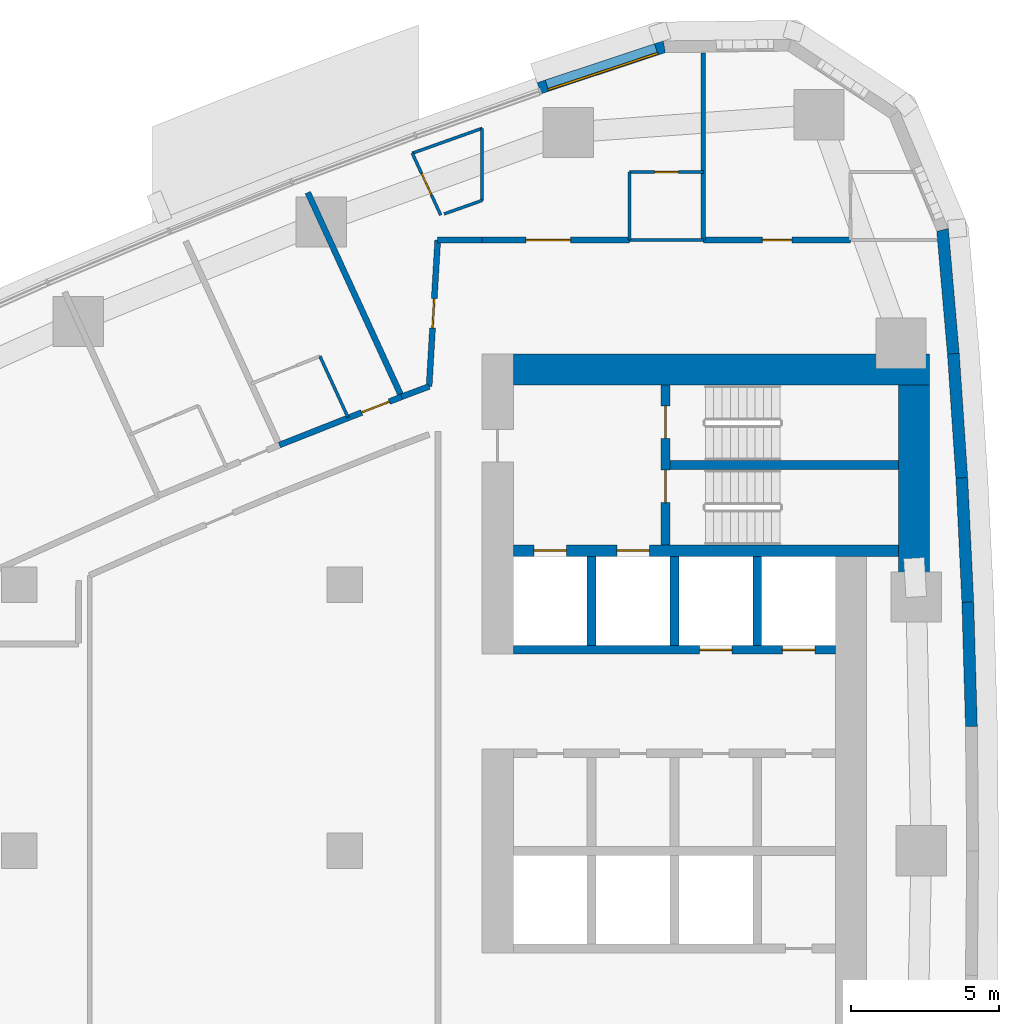
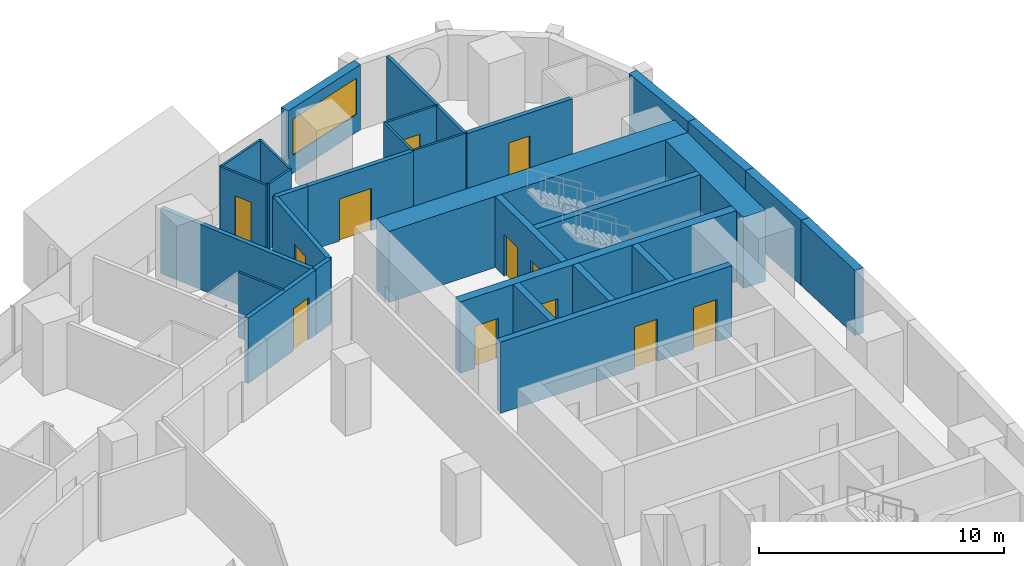
# One storey, part 12 of 17: 30 walls, 12 doors, 1 window, 13 openings.
"""IFC4 building model written with IfcOpenShell, lengths in metres."""

from ifc_helpers import new_model, si_unit, direction, frame, frame_2d, origin, place, context, subcontext, project, spatial, polyline, rectangle, outline, extrude, material, layer, layer_set, type_object, element, fill, save


model = new_model("IFC4")

# Units and contexts
model_context = context("Model", 3, precision=1e-05, world=origin(), true_north=direction((0.0, 1.0)))
body_context = subcontext(model_context, "Body", "Model", "MODEL_VIEW")
ifc_project = project(units=[si_unit("LENGTHUNIT", "METRE"), si_unit("AREAUNIT", "SQUARE_METRE"), si_unit("VOLUMEUNIT", "CUBIC_METRE"), si_unit("PLANEANGLEUNIT", "RADIAN"), si_unit("MASSUNIT", "GRAM", prefix="KILO")], contexts=[model_context])

# Site, building, storey
site_placement = place(None, origin())
site = spatial("IfcSite", under=ifc_project, at=site_placement, CompositionType="ELEMENT")
building_placement = place(site_placement, origin())
building = spatial("IfcBuilding", under=site, at=building_placement, Name="Ostrand Prow Hotel Tower", CompositionType="ELEMENT")
storey_placement = place(building_placement, frame((0.0, 0.0, 99.10009765625)))
storey = spatial("IfcBuildingStorey", under=building, at=storey_placement, Name="L23", CompositionType="ELEMENT", Elevation=99.10009765625)

# Walls
ifc_material_1 = material(Name="Concrete C80/95", Category="concrete")
ifc_layer_1 = layer(ifc_material_1, 1.050048828125)
ifc_layer_set_1 = layer_set([ifc_layer_1], Name="Concrete C80/95")
wall_type_1 = type_object("IfcWallType", Name="Core wall 1050 C80/95", PredefinedType="SHEAR", material=ifc_layer_set_1)
wall_1_placement = place(storey_placement, frame((50.699951171875, 16.27490234375, 0.0), z_axis=(0.0, 0.0, 1.0), x_axis=(1.0, 0.0, 0.0)))
element("IfcWall", 1, at=wall_1_placement, inside=storey, type_object=wall_type_1, Name="Core wall CW-N", PredefinedType="SHEAR", context=body_context, shape_type="SweptSolid", body=[
    extrude(rectangle(XDim=14.070068359375, YDim=1.050048828125, at=frame_2d((7.03515625, 0.0))), origin(), (0.0, 0.0, 1.0), 3.5498046875),
])
wall_2_placement = place(storey_placement, frame((64.2451171875, 9.388671875, 0.0), z_axis=(0.0, 0.0, 1.0), x_axis=(0.0, 1.0, 0.0)))
element("IfcWall", 2, at=wall_2_placement, inside=storey, type_object=wall_type_1, Name="Core wall CW-E-N", PredefinedType="SHEAR", context=body_context, shape_type="SweptSolid", body=[
    extrude(rectangle(XDim=6.361328125, YDim=1.050048828125, at=frame_2d((3.1806640625, 0.0))), origin(), (0.0, 0.0, 1.0), 3.5498046875),
])

# Wall, openings, doors
ifc_material_2 = material(Name="Concrete C80/95", Category="concrete")
ifc_layer_2 = layer(ifc_material_2, 0.300048828125)
ifc_layer_set_2 = layer_set([ifc_layer_2], Name="Concrete C80/95")
wall_type_2 = type_object("IfcWallType", Name="Core wall 300 C80/95", PredefinedType="SHEAR", material=ifc_layer_set_2)
wall_3_placement = place(storey_placement, frame((50.699951171875, 6.800048828125, 0.0), z_axis=(0.0, 0.0, 1.0), x_axis=(1.0, 0.0, 0.0)))
wall_3 = element("IfcWall", 3, at=wall_3_placement, inside=storey, type_object=wall_type_2, Name="Core wall PW-L2-N", PredefinedType="SHEAR", context=body_context, shape_type="SweptSolid", body=[
    extrude(rectangle(XDim=10.900146484375, YDim=0.300048828125, at=frame_2d((5.4501953125, 0.0))), origin(), (0.0, 0.0, 1.0), 3.5498046875),
])
opening_1_placement = place(wall_3_placement, frame((6.300048828125, 0.0, 0.0)))
opening_1 = element("IfcOpeningElement", 4, at=opening_1_placement, cuts=wall_3, Name="Opening LD", PredefinedType="OPENING", context=body_context, shape_type="SweptSolid", body=[
    extrude(rectangle(XDim=1.10009765625, YDim=2.10009765625, at=frame_2d((0.550048828125, 1.050048828125))), frame((0.0, 0.159912109375, 0.0), z_axis=(0.0, -1.0, 0.0), x_axis=(1.0, 0.0, 0.0)), (0.0, 0.0, 1.0), 0.320068359375),
])
opening_2_placement = place(wall_3_placement, frame((9.10009765625, 0.0, 0.0)))
opening_2 = element("IfcOpeningElement", 5, at=opening_2_placement, cuts=wall_3, Name="Opening LD", PredefinedType="OPENING", context=body_context, shape_type="SweptSolid", body=[
    extrude(rectangle(XDim=1.10009765625, YDim=2.10009765625, at=frame_2d((0.550048828125, 1.050048828125))), frame((0.0, 0.159912109375, 0.0), z_axis=(0.0, -1.0, 0.0), x_axis=(1.0, 0.0, 0.0)), (0.0, 0.0, 1.0), 0.320068359375),
])
ifc_material_3 = material(Name="Stainless steel door", Category="steel")
door_type_1 = type_object("IfcDoorType", Name="Lift landing door 1100", OperationType="DOUBLE_DOOR_SLIDING", PredefinedType="DOOR", material=ifc_material_3)
door_1_placement = place(opening_1_placement, origin())
door_1 = element("IfcDoor", 6, at=door_1_placement, inside=storey, type_object=door_type_1, Name="LIFT LANDING DOOR", OperationType="DOUBLE_DOOR_SLIDING", OverallHeight=2.10009765625, OverallWidth=1.10009765625, PredefinedType="DOOR", context=body_context, shape_type="SweptSolid", body=[
    extrude(rectangle(XDim=1.10009765625, YDim=2.10009765625, at=frame_2d((0.550048828125, 1.050048828125))), frame((0.0, 0.02490234375, 0.0), z_axis=(0.0, -1.0, 0.0), x_axis=(1.0, 0.0, 0.0)), (0.0, 0.0, 1.0), 0.050048828125),
])
fill(opening_1, door_1)
door_2_placement = place(opening_2_placement, origin())
door_2 = element("IfcDoor", 7, at=door_2_placement, inside=storey, type_object=door_type_1, Name="LIFT LANDING DOOR", OperationType="DOUBLE_DOOR_SLIDING", OverallHeight=2.10009765625, OverallWidth=1.10009765625, PredefinedType="DOOR", context=body_context, shape_type="SweptSolid", body=[
    extrude(rectangle(XDim=1.10009765625, YDim=2.10009765625, at=frame_2d((0.550048828125, 1.050048828125))), frame((0.0, 0.02490234375, 0.0), z_axis=(0.0, -1.0, 0.0), x_axis=(1.0, 0.0, 0.0)), (0.0, 0.0, 1.0), 0.050048828125),
])
fill(opening_2, door_2)

# Walls
for number, where, z_axis, x_axis, name in (
    (8, (53.35009765625, 6.949951171875, 0.0), (0.0, 0.0, 1.0), (0.0, 1.0, 0.0), "Core wall PW-R1-NA"),
    (9, (56.14990234375, 6.949951171875, 0.0), (0.0, 0.0, 1.0), (0.0, 1.0, 0.0), "Core wall PW-R2-NA"),
    (10, (58.949951171875, 6.949951171875, 0.0), (0.0, 0.0, 1.0), (0.0, 1.0, 0.0), "Core wall PW-R3-NA"),
):
    element("IfcWall", number, at=place(storey_placement, frame(where, z_axis=z_axis, x_axis=x_axis)), inside=storey, type_object=wall_type_2, Name=name, PredefinedType="SHEAR", context=body_context, shape_type="SweptSolid", body=[
        extrude(rectangle(XDim=3.0, YDim=0.300048828125, at=frame_2d((1.5, 0.0))), origin(), (0.0, 0.0, 1.0), 3.5498046875),
    ])

# Wall, openings, doors
wall_4_placement = place(storey_placement, frame((55.85009765625, 10.35009765625, 0.0), z_axis=(0.0, 0.0, 1.0), x_axis=(0.0, 1.0, 0.0)))
wall_4 = element("IfcWall", 11, at=wall_4_placement, inside=storey, type_object=wall_type_2, Name="Core wall PW-VN", PredefinedType="SHEAR", context=body_context, shape_type="SweptSolid", body=[
    extrude(rectangle(XDim=5.39990234375, YDim=0.300048828125, at=frame_2d((2.699951171875, 0.0))), origin(), (0.0, 0.0, 1.0), 3.5498046875),
])
opening_3_placement = place(wall_4_placement, frame((1.429931640625, 0.0, 0.0)))
opening_3 = element("IfcOpeningElement", 12, at=opening_3_placement, cuts=wall_4, Name="Opening FD1", PredefinedType="OPENING", context=body_context, shape_type="SweptSolid", body=[
    extrude(rectangle(XDim=1.10009765625, YDim=2.10009765625, at=frame_2d((0.550048828125, 1.050048828125))), frame((0.0, 0.159912109375, 0.0), z_axis=(0.0, -1.0, 0.0), x_axis=(1.0, 0.0, 0.0)), (0.0, 0.0, 1.0), 0.320068359375),
])
opening_4_placement = place(wall_4_placement, frame((3.60009765625, 0.0, 0.0)))
opening_4 = element("IfcOpeningElement", 13, at=opening_4_placement, cuts=wall_4, Name="Opening FD1", PredefinedType="OPENING", context=body_context, shape_type="SweptSolid", body=[
    extrude(rectangle(XDim=1.10009765625, YDim=2.10009765625, at=frame_2d((0.550048828125, 1.050048828125))), frame((0.0, 0.159912109375, 0.0), z_axis=(0.0, -1.0, 0.0), x_axis=(1.0, 0.0, 0.0)), (0.0, 0.0, 1.0), 0.320068359375),
])
ifc_material_4 = material(Name="Steel fire door", Category="steel")
door_type_2 = type_object("IfcDoorType", Name="Fire door 1100 EI120", OperationType="SINGLE_SWING_RIGHT", PredefinedType="DOOR", material=ifc_material_4)
door_3_placement = place(opening_3_placement, origin())
door_3 = element("IfcDoor", 14, at=door_3_placement, inside=storey, type_object=door_type_2, Name="FIRE DOOR", OperationType="SINGLE_SWING_RIGHT", OverallHeight=2.10009765625, OverallWidth=1.10009765625, PredefinedType="DOOR", context=body_context, shape_type="SweptSolid", body=[
    extrude(rectangle(XDim=1.10009765625, YDim=2.10009765625, at=frame_2d((0.550048828125, 1.050048828125))), frame((0.0, 0.02490234375, 0.0), z_axis=(0.0, -1.0, 0.0), x_axis=(1.0, 0.0, 0.0)), (0.0, 0.0, 1.0), 0.050048828125),
])
fill(opening_3, door_3)
door_4_placement = place(opening_4_placement, origin())
door_4 = element("IfcDoor", 15, at=door_4_placement, inside=storey, type_object=door_type_2, Name="FIRE DOOR", OperationType="SINGLE_SWING_RIGHT", OverallHeight=2.10009765625, OverallWidth=1.10009765625, PredefinedType="DOOR", context=body_context, shape_type="SweptSolid", body=[
    extrude(rectangle(XDim=1.10009765625, YDim=2.10009765625, at=frame_2d((0.550048828125, 1.050048828125))), frame((0.0, 0.02490234375, 0.0), z_axis=(0.0, -1.0, 0.0), x_axis=(1.0, 0.0, 0.0)), (0.0, 0.0, 1.0), 0.050048828125),
])
fill(opening_4, door_4)

# Wall
wall_5_placement = place(storey_placement, frame((56.0, 13.050048828125, 0.0), z_axis=(0.0, 0.0, 1.0), x_axis=(1.0, 0.0, 0.0)))
element("IfcWall", 16, at=wall_5_placement, inside=storey, type_object=wall_type_2, Name="Core wall PW-ST13", PredefinedType="SHEAR", context=body_context, shape_type="SweptSolid", body=[
    extrude(rectangle(XDim=7.719970703125, YDim=0.300048828125, at=frame_2d((3.85986328125, 0.0))), origin(), (0.0, 0.0, 1.0), 3.5498046875),
])

# Wall, openings, doors
ifc_material_5 = material(Name="Concrete C80/95", Category="concrete")
ifc_layer_3 = layer(ifc_material_5, 0.39990234375)
ifc_layer_set_3 = layer_set([ifc_layer_3], Name="Concrete C80/95")
wall_type_3 = type_object("IfcWallType", Name="Core wall 400 C80/95", PredefinedType="SHEAR", material=ifc_layer_set_3)
wall_6_placement = place(storey_placement, frame((50.699951171875, 10.14990234375, 0.0), z_axis=(0.0, 0.0, 1.0), x_axis=(1.0, 0.0, 0.0)))
wall_6 = element("IfcWall", 17, at=wall_6_placement, inside=storey, type_object=wall_type_3, Name="Core wall PW-BN", PredefinedType="SHEAR", context=body_context, shape_type="SweptSolid", body=[
    extrude(rectangle(XDim=13.02001953125, YDim=0.39990234375, at=frame_2d((6.510009765625, 0.0))), origin(), (0.0, 0.0, 1.0), 3.5498046875),
])
opening_5_placement = place(wall_6_placement, frame((0.699951171875, 0.0, 0.0)))
opening_5 = element("IfcOpeningElement", 18, at=opening_5_placement, cuts=wall_6, Name="Opening LD", PredefinedType="OPENING", context=body_context, shape_type="SweptSolid", body=[
    extrude(rectangle(XDim=1.10009765625, YDim=2.10009765625, at=frame_2d((0.550048828125, 1.050048828125))), frame((0.0, 0.2099609375, 0.0), z_axis=(0.0, -1.0, 0.0), x_axis=(1.0, 0.0, 0.0)), (0.0, 0.0, 1.0), 0.419921875),
])
opening_6_placement = place(wall_6_placement, frame((3.5, 0.0, 0.0)))
opening_6 = element("IfcOpeningElement", 19, at=opening_6_placement, cuts=wall_6, Name="Opening LD", PredefinedType="OPENING", context=body_context, shape_type="SweptSolid", body=[
    extrude(rectangle(XDim=1.10009765625, YDim=2.10009765625, at=frame_2d((0.550048828125, 1.050048828125))), frame((0.0, 0.2099609375, 0.0), z_axis=(0.0, -1.0, 0.0), x_axis=(1.0, 0.0, 0.0)), (0.0, 0.0, 1.0), 0.419921875),
])
door_5_placement = place(opening_5_placement, origin())
door_5 = element("IfcDoor", 20, at=door_5_placement, inside=storey, type_object=door_type_1, Name="LIFT LANDING DOOR", OperationType="DOUBLE_DOOR_SLIDING", OverallHeight=2.10009765625, OverallWidth=1.10009765625, PredefinedType="DOOR", context=body_context, shape_type="SweptSolid", body=[
    extrude(rectangle(XDim=1.10009765625, YDim=2.10009765625, at=frame_2d((0.550048828125, 1.050048828125))), frame((0.0, 0.02490234375, 0.0), z_axis=(0.0, -1.0, 0.0), x_axis=(1.0, 0.0, 0.0)), (0.0, 0.0, 1.0), 0.050048828125),
])
fill(opening_5, door_5)
door_6_placement = place(opening_6_placement, origin())
door_6 = element("IfcDoor", 21, at=door_6_placement, inside=storey, type_object=door_type_1, Name="LIFT LANDING DOOR", OperationType="DOUBLE_DOOR_SLIDING", OverallHeight=2.10009765625, OverallWidth=1.10009765625, PredefinedType="DOOR", context=body_context, shape_type="SweptSolid", body=[
    extrude(rectangle(XDim=1.10009765625, YDim=2.10009765625, at=frame_2d((0.550048828125, 1.050048828125))), frame((0.0, 0.02490234375, 0.0), z_axis=(0.0, -1.0, 0.0), x_axis=(1.0, 0.0, 0.0)), (0.0, 0.0, 1.0), 0.050048828125),
])
fill(opening_6, door_6)

# Wall
ifc_material_6 = material(Name="Plasterboard partition")
ifc_layer_4 = layer(ifc_material_6, 0.10009765625)
ifc_layer_set_4 = layer_set([ifc_layer_4], Name="Plasterboard partition")
wall_type_4 = type_object("IfcWallType", Name="Partition 100 bathroom wall", PredefinedType="PARTITIONING", material=ifc_layer_set_4)
wall_7_placement = place(storey_placement, frame((54.630615234375, 20.64990234375, 0.0), z_axis=(0.0, 0.0, 1.0), x_axis=(0.0, 1.0, 0.0)))
element("IfcWall", 22, at=wall_7_placement, inside=storey, type_object=wall_type_4, Name="BATHROOM WALL", PredefinedType="PARTITIONING", context=body_context, shape_type="SweptSolid", body=[
    extrude(rectangle(XDim=2.300048828125, YDim=0.10009765625, at=frame_2d((1.14990234375, 0.0))), origin(), (0.0, 0.0, 1.0), 3.25),
])

# Wall, opening, door
wall_8_placement = place(storey_placement, frame((54.630615234375, 22.949951171875, 0.0), z_axis=(0.0, 0.0, 1.0), x_axis=(1.0, 0.0, 0.0)))
wall_8 = element("IfcWall", 23, at=wall_8_placement, inside=storey, type_object=wall_type_4, Name="BATHROOM WALL", PredefinedType="PARTITIONING", context=body_context, shape_type="SweptSolid", body=[
    extrude(rectangle(XDim=2.5, YDim=0.10009765625, at=frame_2d((1.25, 0.0))), origin(), (0.0, 0.0, 1.0), 3.25),
])
opening_7_placement = place(wall_8_placement, frame((0.85009765625, 0.0, 0.0)))
opening_7 = element("IfcOpeningElement", 24, at=opening_7_placement, cuts=wall_8, Name="Opening D2", PredefinedType="OPENING", context=body_context, shape_type="SweptSolid", body=[
    extrude(rectangle(XDim=0.800048828125, YDim=2.10009765625, at=frame_2d((0.39990234375, 1.050048828125))), frame((0.0, 0.06005859375, 0.0), z_axis=(0.0, -1.0, 0.0), x_axis=(1.0, 0.0, 0.0)), (0.0, 0.0, 1.0), 0.1201171875),
])
ifc_material_7 = material(Name="Timber door leaf", Category="wood")
door_type_3 = type_object("IfcDoorType", Name="Bathroom door 800", OperationType="SINGLE_SWING_LEFT", PredefinedType="DOOR", material=ifc_material_7)
door_7_placement = place(opening_7_placement, origin())
door_7 = element("IfcDoor", 25, at=door_7_placement, inside=storey, type_object=door_type_3, Name="DOOR", OperationType="SINGLE_SWING_LEFT", OverallHeight=2.10009765625, OverallWidth=0.800048828125, PredefinedType="DOOR", context=body_context, shape_type="SweptSolid", body=[
    extrude(rectangle(XDim=0.800048828125, YDim=2.10009765625, at=frame_2d((0.39990234375, 1.050048828125))), frame((0.0, 0.02490234375, 0.0), z_axis=(0.0, -1.0, 0.0), x_axis=(1.0, 0.0, 0.0)), (0.0, 0.0, 1.0), 0.050048828125),
])
fill(opening_7, door_7)

# Walls
wall_9_placement = place(storey_placement, frame((44.16259765625, 16.726806640625, 0.0), z_axis=(0.0, 0.0, 1.0), x_axis=(0.417373525971, -0.908735021785, 0.0)))
element("IfcWall", 26, at=wall_9_placement, inside=storey, type_object=wall_type_4, Name="BATHROOM WALL", PredefinedType="PARTITIONING", context=body_context, shape_type="SweptSolid", body=[
    extrude(rectangle(XDim=2.280029296875, YDim=0.10009765625, at=frame_2d((1.14013671875, 0.0))), origin(), (0.0, 0.0, 1.0), 3.25),
])
wall_10_placement = place(storey_placement, frame((49.64990234375, 21.99560546875, 0.0), z_axis=(0.0, 0.0, 1.0), x_axis=(-0.942692856107, -0.333661773425, 0.0)))
element("IfcWall", 27, at=wall_10_placement, inside=storey, type_object=wall_type_4, Name="BATHROOM WALL", PredefinedType="PARTITIONING", context=body_context, shape_type="SweptSolid", body=[
    extrude(rectangle(XDim=1.365234375, YDim=0.10009765625, at=frame_2d((0.6826171875, 0.0))), origin(), (0.0, 0.0, 1.0), 3.25),
])

# Wall, opening, door
wall_11_placement = place(storey_placement, frame((48.24853515625, 21.4970703125, 0.0), z_axis=(0.0, 0.0, 1.0), x_axis=(-0.41749308293, 0.908680100864, 0.0)))
wall_11 = element("IfcWall", 28, at=wall_11_placement, inside=storey, type_object=wall_type_4, Name="BATHROOM WALL", PredefinedType="PARTITIONING", context=body_context, shape_type="SweptSolid", body=[
    extrude(rectangle(XDim=2.3056640625, YDim=0.10009765625, at=frame_2d((1.15283203125, 0.0))), origin(), (0.0, 0.0, 1.0), 3.25),
])
opening_8_placement = place(wall_11_placement, frame((0.75, 0.0, 0.0)))
opening_8 = element("IfcOpeningElement", 29, at=opening_8_placement, cuts=wall_11, Name="Opening D2", PredefinedType="OPENING", context=body_context, shape_type="SweptSolid", body=[
    extrude(rectangle(XDim=0.800048828125, YDim=2.10009765625, at=frame_2d((0.39990234375, 1.050048828125))), frame((0.0, 0.06005859375, 0.0), z_axis=(0.0, -1.0, 0.0), x_axis=(1.0, 0.0, 0.0)), (0.0, 0.0, 1.0), 0.1201171875),
])
door_8_placement = place(opening_8_placement, origin())
door_8 = element("IfcDoor", 30, at=door_8_placement, inside=storey, type_object=door_type_3, Name="DOOR", OperationType="SINGLE_SWING_LEFT", OverallHeight=2.10009765625, OverallWidth=0.800048828125, PredefinedType="DOOR", context=body_context, shape_type="SweptSolid", body=[
    extrude(rectangle(XDim=0.800048828125, YDim=2.10009765625, at=frame_2d((0.39990234375, 1.050048828125))), frame((0.0, 0.02490234375, 0.0), z_axis=(0.0, -1.0, 0.0), x_axis=(1.0, 0.0, 0.0)), (0.0, 0.0, 1.0), 0.050048828125),
])
fill(opening_8, door_8)

# Walls
wall_12_placement = place(storey_placement, frame((57.130615234375, 20.655029296875, 0.0), z_axis=(0.0, 0.0, 1.0), x_axis=(-1.0, 0.0, 0.0)))
element("IfcWall", 31, at=wall_12_placement, inside=storey, type_object=wall_type_4, Name="BATHROOM WALL", PredefinedType="PARTITIONING", context=body_context, shape_type="SweptSolid", body=[
    extrude(rectangle(XDim=2.5, YDim=0.10009765625, at=frame_2d((1.25, 0.0))), origin(), (0.0, 0.0, 1.0), 3.25),
])
wall_13_placement = place(storey_placement, frame((47.285888671875, 23.59228515625, 0.0), z_axis=(0.0, 0.0, 1.0), x_axis=(0.941933231826, 0.335800218555, 0.0)))
element("IfcWall", 32, at=wall_13_placement, inside=storey, type_object=wall_type_4, Name="BATHROOM WALL", PredefinedType="PARTITIONING", context=body_context, shape_type="SweptSolid", body=[
    extrude(rectangle(XDim=2.509765625, YDim=0.10009765625, at=frame_2d((1.2548828125, 0.0))), origin(), (0.0, 0.0, 1.0), 3.25),
])
wall_14_placement = place(storey_placement, frame((49.64990234375, 24.43505859375, 0.0), z_axis=(0.0, 0.0, 1.0), x_axis=(0.0, -1.0, 0.0)))
element("IfcWall", 33, at=wall_14_placement, inside=storey, type_object=wall_type_4, Name="BATHROOM WALL", PredefinedType="PARTITIONING", context=body_context, shape_type="SweptSolid", body=[
    extrude(rectangle(XDim=2.439453125, YDim=0.10009765625, at=frame_2d((1.2197265625, 0.0))), origin(), (0.0, 0.0, 1.0), 3.25),
])
ifc_material_8 = material(Name="Plasterboard partition")
ifc_layer_5 = layer(ifc_material_8, 0.14990234375)
ifc_layer_set_5 = layer_set([ifc_layer_5], Name="Plasterboard partition")
wall_type_5 = type_object("IfcWallType", Name="Partition 150 room partition", PredefinedType="PARTITIONING", material=ifc_layer_set_5)
wall_15_placement = place(storey_placement, frame((57.130615234375, 20.64990234375, 0.0), z_axis=(0.0, 0.0, 1.0), x_axis=(0.0, 1.0, 0.0)))
element("IfcWall", 34, at=wall_15_placement, inside=storey, type_object=wall_type_5, Name="ROOM PARTITION", PredefinedType="PARTITIONING", context=body_context, shape_type="SweptSolid", body=[
    extrude(rectangle(XDim=6.3291015625, YDim=0.14990234375, at=frame_2d((3.16455078125, 0.0))), origin(), (0.0, 0.0, 1.0), 3.25),
])

# Wall, opening, door
ifc_material_9 = material(Name="Plasterboard partition")
ifc_layer_6 = layer(ifc_material_9, 0.199951171875)
ifc_layer_set_6 = layer_set([ifc_layer_6], Name="Plasterboard partition")
wall_type_6 = type_object("IfcWallType", Name="Partition 200 corridor wall", PredefinedType="PARTITIONING", material=ifc_layer_set_6)
wall_16_placement = place(storey_placement, frame((46.92431640625, 15.356689453125, 0.0), z_axis=(0.0, 0.0, 1.0), x_axis=(-0.930040633249, -0.367456692014, 0.0)))
wall_16 = element("IfcWall", 35, at=wall_16_placement, inside=storey, type_object=wall_type_6, Name="CORRIDOR WALL", PredefinedType="PARTITIONING", context=body_context, shape_type="SweptSolid", body=[
    extrude(rectangle(XDim=4.4443359375, YDim=0.199951171875, at=frame_2d((2.22216796875, 0.0))), origin(), (0.0, 0.0, 1.0), 3.25),
])
opening_9_placement = place(wall_16_placement, frame((0.449951171875, 0.0, 0.0)))
opening_9 = element("IfcOpeningElement", 36, at=opening_9_placement, cuts=wall_16, Name="Opening D1", PredefinedType="OPENING", context=body_context, shape_type="SweptSolid", body=[
    extrude(rectangle(XDim=1.0, YDim=2.10009765625, at=frame_2d((0.5, 1.050048828125))), frame((0.0, 0.10986328125, 0.0), z_axis=(0.0, -1.0, 0.0), x_axis=(1.0, 0.0, 0.0)), (0.0, 0.0, 1.0), 0.219970703125),
])
ifc_material_10 = material(Name="Timber door leaf", Category="wood")
door_type_4 = type_object("IfcDoorType", Name="Guest room door 1000", OperationType="SINGLE_SWING_LEFT", PredefinedType="DOOR", material=ifc_material_10)
door_9_placement = place(opening_9_placement, origin())
door_9 = element("IfcDoor", 37, at=door_9_placement, inside=storey, type_object=door_type_4, Name="DOOR", OperationType="SINGLE_SWING_LEFT", OverallHeight=2.10009765625, OverallWidth=1.0, PredefinedType="DOOR", context=body_context, shape_type="SweptSolid", body=[
    extrude(rectangle(XDim=1.0, YDim=2.10009765625, at=frame_2d((0.5, 1.050048828125))), frame((0.0, 0.02490234375, 0.0), z_axis=(0.0, -1.0, 0.0), x_axis=(1.0, 0.0, 0.0)), (0.0, 0.0, 1.0), 0.050048828125),
])
fill(opening_9, door_9)

wall_17_placement = place(storey_placement, frame((54.62548828125, 20.655029296875, 0.0), z_axis=(0.0, 0.0, 1.0), x_axis=(-1.0, 0.0, 0.0)))
wall_17 = element("IfcWall", 38, at=wall_17_placement, inside=storey, type_object=wall_type_6, Name="CORRIDOR WALL", PredefinedType="PARTITIONING", context=body_context, shape_type="SweptSolid", body=[
    extrude(rectangle(XDim=4.9755859375, YDim=0.199951171875, at=frame_2d((2.48779296875, 0.0))), origin(), (0.0, 0.0, 1.0), 3.25),
])
opening_10_placement = place(wall_17_placement, frame((1.98779296875, 0.0, 0.0)))
opening_10 = element("IfcOpeningElement", 39, at=opening_10_placement, cuts=wall_17, Name="Opening D15", PredefinedType="OPENING", context=body_context, shape_type="SweptSolid", body=[
    extrude(rectangle(XDim=1.5, YDim=2.10009765625, at=frame_2d((0.75, 1.050048828125))), frame((0.0, 0.10986328125, 0.0), z_axis=(0.0, -1.0, 0.0), x_axis=(1.0, 0.0, 0.0)), (0.0, 0.0, 1.0), 0.219970703125),
])
ifc_material_11 = material(Name="Timber door leaf", Category="wood")
door_type_5 = type_object("IfcDoorType", Name="Double door 1500", OperationType="DOUBLE_DOOR_SINGLE_SWING", PredefinedType="DOOR", material=ifc_material_11)
door_10_placement = place(opening_10_placement, origin())
door_10 = element("IfcDoor", 40, at=door_10_placement, inside=storey, type_object=door_type_5, Name="DOOR", OperationType="DOUBLE_DOOR_SINGLE_SWING", OverallHeight=2.10009765625, OverallWidth=1.5, PredefinedType="DOOR", context=body_context, shape_type="SweptSolid", body=[
    extrude(rectangle(XDim=1.5, YDim=2.10009765625, at=frame_2d((0.75, 1.050048828125))), frame((0.0, 0.02490234375, 0.0), z_axis=(0.0, -1.0, 0.0), x_axis=(1.0, 0.0, 0.0)), (0.0, 0.0, 1.0), 0.050048828125),
])
fill(opening_10, door_10)

wall_18_placement = place(storey_placement, frame((62.106201171875, 20.655029296875, 0.0), z_axis=(0.0, 0.0, 1.0), x_axis=(-1.0, 0.0, 0.0)))
wall_18 = element("IfcWall", 41, at=wall_18_placement, inside=storey, type_object=wall_type_6, Name="CORRIDOR WALL", PredefinedType="PARTITIONING", context=body_context, shape_type="SweptSolid", body=[
    extrude(rectangle(XDim=4.970703125, YDim=0.199951171875, at=frame_2d((2.4853515625, 0.0))), origin(), (0.0, 0.0, 1.0), 3.25),
])
opening_11_placement = place(wall_18_placement, frame((1.9853515625, 0.0, 0.0)))
opening_11 = element("IfcOpeningElement", 42, at=opening_11_placement, cuts=wall_18, Name="Opening D1", PredefinedType="OPENING", context=body_context, shape_type="SweptSolid", body=[
    extrude(rectangle(XDim=1.0, YDim=2.10009765625, at=frame_2d((0.5, 1.050048828125))), frame((0.0, 0.10986328125, 0.0), z_axis=(0.0, -1.0, 0.0), x_axis=(1.0, 0.0, 0.0)), (0.0, 0.0, 1.0), 0.219970703125),
])
door_11_placement = place(opening_11_placement, origin())
door_11 = element("IfcDoor", 43, at=door_11_placement, inside=storey, type_object=door_type_4, Name="DOOR", OperationType="SINGLE_SWING_LEFT", OverallHeight=2.10009765625, OverallWidth=1.0, PredefinedType="DOOR", context=body_context, shape_type="SweptSolid", body=[
    extrude(rectangle(XDim=1.0, YDim=2.10009765625, at=frame_2d((0.5, 1.050048828125))), frame((0.0, 0.02490234375, 0.0), z_axis=(0.0, -1.0, 0.0), x_axis=(1.0, 0.0, 0.0)), (0.0, 0.0, 1.0), 0.050048828125),
])
fill(opening_11, door_11)

# Wall
wall_19_placement = place(storey_placement, frame((47.85498046875, 15.707275390625, 0.0), z_axis=(0.0, 0.0, 1.0), x_axis=(-0.935803526171, -0.35252199989, 0.0)))
element("IfcWall", 44, at=wall_19_placement, inside=storey, type_object=wall_type_6, Name="CORRIDOR WALL", PredefinedType="PARTITIONING", context=body_context, shape_type="SweptSolid", body=[
    extrude(rectangle(XDim=0.99462890625, YDim=0.199951171875, at=frame_2d((0.497314453125, 0.0))), origin(), (0.0, 0.0, 1.0), 3.25),
])

# Wall, opening, door
wall_20_placement = place(storey_placement, frame((48.1455078125, 20.65234375, 0.0), z_axis=(0.0, 0.0, 1.0), x_axis=(-0.058649792989, -0.998278619315, 0.0)))
wall_20 = element("IfcWall", 45, at=wall_20_placement, inside=storey, type_object=wall_type_6, Name="CORRIDOR WALL", PredefinedType="PARTITIONING", context=body_context, shape_type="SweptSolid", body=[
    extrude(rectangle(XDim=4.95361328125, YDim=0.199951171875, at=frame_2d((2.476806640625, 0.0))), origin(), (0.0, 0.0, 1.0), 3.25),
])
opening_12_placement = place(wall_20_placement, frame((1.97705078125, 0.0, 0.0)))
opening_12 = element("IfcOpeningElement", 46, at=opening_12_placement, cuts=wall_20, Name="Opening D1R", PredefinedType="OPENING", context=body_context, shape_type="SweptSolid", body=[
    extrude(rectangle(XDim=1.0, YDim=2.10009765625, at=frame_2d((0.5, 1.050048828125))), frame((0.0, 0.10986328125, 0.0), z_axis=(0.0, -1.0, 0.0), x_axis=(1.0, 0.0, 0.0)), (0.0, 0.0, 1.0), 0.219970703125),
])
ifc_material_12 = material(Name="Timber door leaf", Category="wood")
door_type_6 = type_object("IfcDoorType", Name="Guest room door 1000 right", OperationType="SINGLE_SWING_RIGHT", PredefinedType="DOOR", material=ifc_material_12)
door_12_placement = place(opening_12_placement, origin())
door_12 = element("IfcDoor", 47, at=door_12_placement, inside=storey, type_object=door_type_6, Name="DOOR", OperationType="SINGLE_SWING_RIGHT", OverallHeight=2.10009765625, OverallWidth=1.0, PredefinedType="DOOR", context=body_context, shape_type="SweptSolid", body=[
    extrude(rectangle(XDim=1.0, YDim=2.10009765625, at=frame_2d((0.5, 1.050048828125))), frame((0.0, 0.02490234375, 0.0), z_axis=(0.0, -1.0, 0.0), x_axis=(1.0, 0.0, 0.0)), (0.0, 0.0, 1.0), 0.050048828125),
])
fill(opening_12, door_12)

# Walls
wall_21_placement = place(storey_placement, frame((49.64990234375, 20.655029296875, 0.0), z_axis=(0.0, 0.0, 1.0), x_axis=(-0.999998406651, -0.001785131852, 0.0)))
element("IfcWall", 48, at=wall_21_placement, inside=storey, type_object=wall_type_6, Name="CORRIDOR WALL", PredefinedType="PARTITIONING", context=body_context, shape_type="SweptSolid", body=[
    extrude(rectangle(XDim=1.50439453125, YDim=0.199951171875, at=frame_2d((0.752197265625, 0.0))), origin(), (0.0, 0.0, 1.0), 3.25),
])
ifc_material_13 = material(Name="Plasterboard partition")
ifc_layer_7 = layer(ifc_material_13, 0.199951171875)
ifc_layer_set_7 = layer_set([ifc_layer_7], Name="Plasterboard partition")
wall_type_7 = type_object("IfcWallType", Name="Partition 200 key partition", PredefinedType="PARTITIONING", material=ifc_layer_set_7)
wall_22_placement = place(storey_placement, frame((46.9326171875, 15.338623046875, 0.0), z_axis=(0.0, 0.0, 1.0), x_axis=(-0.417437957167, 0.908705426371, 0.0)))
element("IfcWall", 49, at=wall_22_placement, inside=storey, type_object=wall_type_7, Name="KEY PARTITION", PredefinedType="PARTITIONING", context=body_context, shape_type="SweptSolid", body=[
    extrude(rectangle(XDim=7.618896484375, YDim=0.199951171875, at=frame_2d((3.8095703125, 0.0))), origin(), (0.0, 0.0, 1.0), 3.25),
])
ifc_material_14 = material(Name="Precast concrete C40/50", Category="concrete")
ifc_layer_8 = layer(ifc_material_14, 0.39990234375)
ifc_layer_set_8 = layer_set([ifc_layer_8], Name="Precast concrete C40/50")
wall_type_8 = type_object("IfcWallType", Name="Stone-faced precast wall 400 mm", PredefinedType="NOTDEFINED", material=ifc_layer_set_8)
for number, where, z_axis, x_axis, name in (
    (50, (66.193603515625, 4.20654296875, 0.0), (0.0, 0.0, 1.0), (-0.02901703777, 0.999578917104, 0.0), "Stone-faced wall back 11"),
    (51, (66.071533203125, 8.41162109375, 0.0), (0.0, 0.0, 1.0), (-0.048342691508, 0.998830808585, 0.0), "Stone-faced wall back 12"),
):
    element("IfcWall", number, at=place(storey_placement, frame(where, z_axis=z_axis, x_axis=x_axis)), inside=storey, type_object=wall_type_8, Name=name, PredefinedType="NOTDEFINED", context=body_context, shape_type="SweptSolid", body=[
        extrude(outline(polyline([(-0.001953125, -0.199951171875), (4.208740234375, -0.199951171875), (4.204833984375, 0.199951171875), (0.001953125, 0.199951171875), (-0.001953125, -0.199951171875)])), origin(), (0.0, 0.0, 1.0), 3.25),
    ])
wall_23_placement = place(storey_placement, frame((65.8681640625, 12.613525390625, 0.0), z_axis=(0.0, 0.0, 1.0), x_axis=(-0.067724559895, 0.997704056315, 0.0)))
element("IfcWall", 52, at=wall_23_placement, inside=storey, type_object=wall_type_8, Name="Stone-faced wall back 13", PredefinedType="NOTDEFINED", context=body_context, shape_type="SweptSolid", body=[
    extrude(outline(polyline([(-0.001953125, -0.199951171875), (4.208984375, -0.199951171875), (4.205078125, 0.199951171875), (0.001953125, 0.199951171875), (-0.001953125, -0.199951171875)])), origin(), (0.0, 0.0, 1.0), 3.25),
])
wall_24_placement = place(storey_placement, frame((65.583251953125, 16.810791015625, 0.0), z_axis=(0.0, 0.0, 1.0), x_axis=(-0.086992730434, 0.996208946382, 0.0)))
element("IfcWall", 53, at=wall_24_placement, inside=storey, type_object=wall_type_8, Name="Stone-faced wall back 14", PredefinedType="NOTDEFINED", context=body_context, shape_type="SweptSolid", body=[
    extrude(outline(polyline([(-0.001953125, -0.199951171875), (4.23779296875, -0.199951171875), (4.17578125, 0.199951171875), (0.001953125, 0.199951171875), (-0.001953125, -0.199951171875)])), origin(), (0.0, 0.0, 1.0), 3.25),
])

# Wall, opening, window
wall_25_placement = place(storey_placement, frame((55.81005859375, 27.192138671875, 0.0), z_axis=(0.0, 0.0, 1.0), x_axis=(-0.94925004851, -0.314522408429, 0.0)))
wall_25 = element("IfcWall", 54, at=wall_25_placement, inside=storey, type_object=wall_type_8, Name="Stone-faced wall back 18", PredefinedType="NOTDEFINED", context=body_context, shape_type="SweptSolid", body=[
    extrude(outline(polyline([(-0.031005859375, -0.199951171875), (4.468017578125, -0.199951171875), (4.468017578125, 0.199951171875), (0.031005859375, 0.199951171875), (-0.031005859375, -0.199951171875)])), origin(), (0.0, 0.0, 1.0), 3.25),
])
opening_13_placement = place(wall_25_placement, frame((0.283935546875, 0.0, 0.89990234375)))
opening_13 = element("IfcOpeningElement", 55, at=opening_13_placement, cuts=wall_25, Name="Opening WS3-39", PredefinedType="OPENING", context=body_context, shape_type="SweptSolid", body=[
    extrude(rectangle(XDim=3.89990234375, YDim=1.800048828125, at=frame_2d((1.949951171875, 0.89990234375))), frame((0.0, 0.2099609375, 0.0), z_axis=(0.0, -1.0, 0.0), x_axis=(1.0, 0.0, 0.0)), (0.0, 0.0, 1.0), 0.419921875),
])
ifc_material_15 = material(Name="Insulated glass in bronze frame", Category="glass")
window_type = type_object("IfcWindowType", Name="Strip window 3900x1800", PartitioningType="SINGLE_PANEL", PredefinedType="WINDOW", material=ifc_material_15)
window_placement = place(opening_13_placement, origin())
window = element("IfcWindow", 56, at=window_placement, inside=storey, type_object=window_type, Name="Window back 18.1", OverallHeight=1.800048828125, OverallWidth=3.89990234375, PartitioningType="SINGLE_PANEL", PredefinedType="WINDOW", context=body_context, shape_type="SweptSolid", body=[
    extrude(rectangle(XDim=3.89990234375, YDim=1.800048828125, at=frame_2d((1.949951171875, 0.89990234375))), frame((0.0, 0.169921875, 0.0), z_axis=(0.0, -1.0, 0.0), x_axis=(1.0, 0.0, 0.0)), (0.0, 0.0, 1.0), 0.06005859375),
])
fill(opening_13, window)

save(model, "model.ifc")
